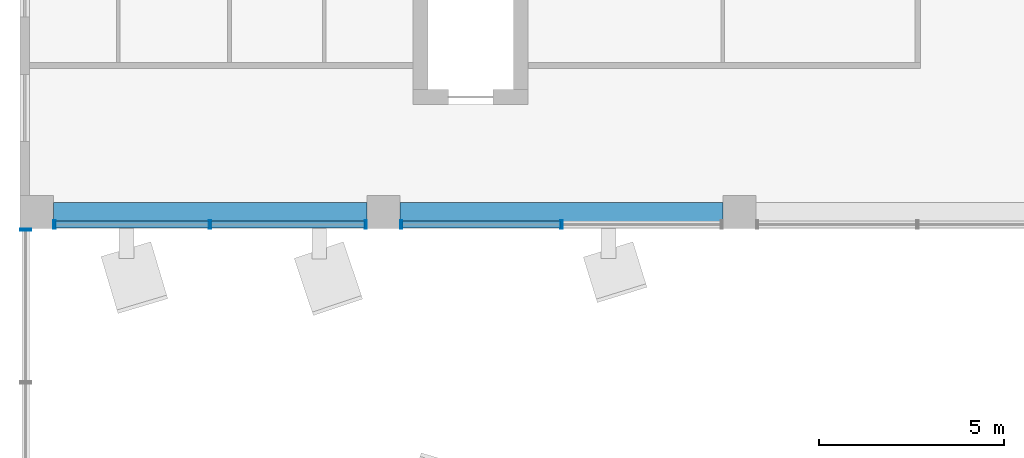
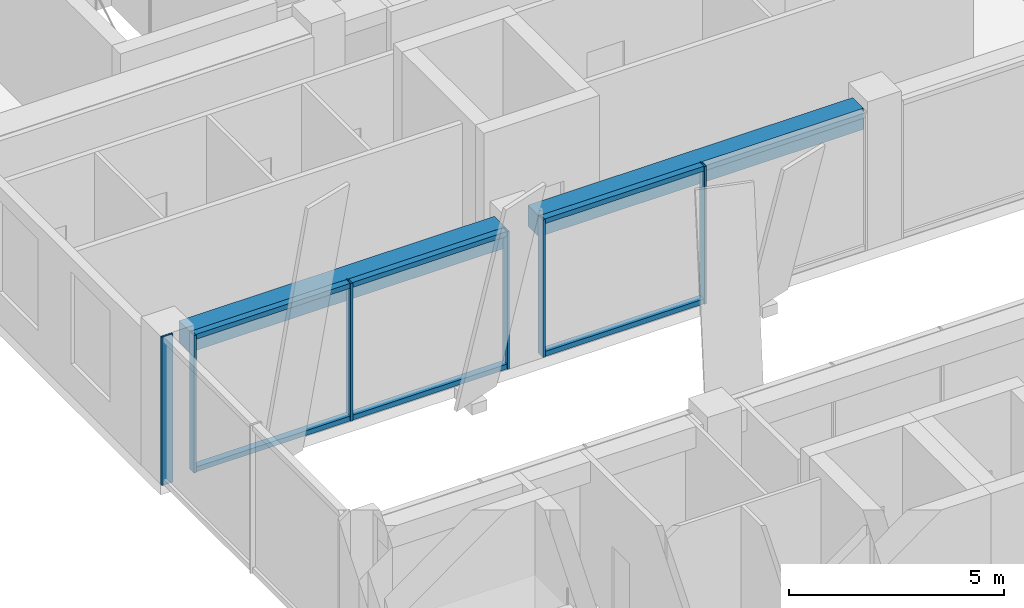
# One storey, part 8 of 38: 12 members, 2 beams, 3 elements without a shape of their own.
"""IFC4 building model written with IfcOpenShell, lengths in metres."""

from ifc_helpers import new_model, si_unit, direction, frame, origin, origin_2d, place, context, subcontext, project, spatial, rectangle, hollow_rectangle, extrude, material, layer, layer_set, material_profile, profile_set, type_object, element, aggregate, save


model = new_model("IFC4")

# Units and contexts
model_context = context("Model", 3, precision=1e-05, world=origin(), true_north=direction((0.0, 1.0)))
body_context = subcontext(model_context, "Body", "Model", "MODEL_VIEW")
ifc_project = project(units=[si_unit("LENGTHUNIT", "METRE"), si_unit("AREAUNIT", "SQUARE_METRE"), si_unit("VOLUMEUNIT", "CUBIC_METRE"), si_unit("PLANEANGLEUNIT", "RADIAN"), si_unit("MASSUNIT", "GRAM", prefix="KILO")], contexts=[model_context])

# Site, building, storey
site_placement = place(None, origin())
site = spatial("IfcSite", under=ifc_project, at=site_placement, CompositionType="ELEMENT")
building_placement = place(site_placement, origin())
building = spatial("IfcBuilding", under=site, at=building_placement, Name="Nzadi Deep Aquarium and Research Tower", CompositionType="ELEMENT")
storey_placement = place(building_placement, frame((0.0, 0.0, 52.89990234375)))
storey = spatial("IfcBuildingStorey", under=building, at=storey_placement, Name="L10", CompositionType="ELEMENT", Elevation=52.89990234375)

# Curtain wall, members
ifc_material_1 = material(Name="Aluminium unitised frame deep", Category="aluminium")
ifc_layer_1 = layer(ifc_material_1, 0.22509765625)
ifc_layer_set_1 = layer_set([ifc_layer_1], Name="Aluminium unitised frame deep")
curtain_wall_type_1 = type_object("IfcCurtainWallType", Name="Curtain wall Unitised Deep 225", PredefinedType="NOTDEFINED", material=ifc_layer_set_1)
curtain_wall_1_placement = place(storey_placement, origin())
curtain_wall_1 = element("IfcCurtainWall", 1, at=curtain_wall_1_placement, inside=storey, type_object=curtain_wall_type_1, Name="Unitised curtain wall blade B south L10", PredefinedType="NOTDEFINED")
ifc_material_2 = material(Name="Aluminium unitised frame deep", Category="aluminium")
ifc_material_profile_1 = material_profile(ifc_material_2, hollow_rectangle(XDim=0.22509765625, YDim=0.06005859375, WallThickness=0.0048828125, at=origin_2d()))
ifc_profile_set_1 = profile_set([ifc_material_profile_1], Name="Aluminium unitised frame deep")
member_type_1 = type_object("IfcMemberType", Name="Mullion 60x225 Unitised Deep", PredefinedType="MULLION", material=ifc_profile_set_1)
member_1_placement = place(storey_placement, frame((0.72998046875, 27.262451171875, 0.0), z_axis=(0.0, 0.0, 1.0), x_axis=(0.0, 1.0, 0.0)))
member_1 = element("IfcMember", 2, at=member_1_placement, type_object=member_type_1, Name="CW128 mullion 1", PredefinedType="MULLION", context=body_context, shape_type="SweptSolid", body=[
    extrude(hollow_rectangle(XDim=0.22509765625, YDim=0.06005859375, WallThickness=0.0048828125, at=origin_2d()), origin(), (0.0, 0.0, 1.0), 3.900146484375),
])
member_2_placement = place(storey_placement, frame((4.925048828125, 27.262451171875, 0.0), z_axis=(0.0, 0.0, 1.0), x_axis=(0.0, 1.0, 0.0)))
member_2 = element("IfcMember", 3, at=member_2_placement, type_object=member_type_1, Name="CW128 mullion 2", PredefinedType="MULLION", context=body_context, shape_type="SweptSolid", body=[
    extrude(hollow_rectangle(XDim=0.22509765625, YDim=0.06005859375, WallThickness=0.0048828125, at=origin_2d()), origin(), (0.0, 0.0, 1.0), 3.900146484375),
])
member_3_placement = place(storey_placement, frame((9.1201171875, 27.262451171875, 0.0), z_axis=(0.0, 0.0, 1.0), x_axis=(0.0, 1.0, 0.0)))
member_3 = element("IfcMember", 4, at=member_3_placement, type_object=member_type_1, Name="CW128 mullion 3", PredefinedType="MULLION", context=body_context, shape_type="SweptSolid", body=[
    extrude(hollow_rectangle(XDim=0.22509765625, YDim=0.06005859375, WallThickness=0.0048828125, at=origin_2d()), origin(), (0.0, 0.0, 1.0), 3.900146484375),
])

curtain_wall_2_placement = place(storey_placement, origin())
curtain_wall_2 = element("IfcCurtainWall", 5, at=curtain_wall_2_placement, inside=storey, type_object=curtain_wall_type_1, Name="Unitised curtain wall blade B south L10", PredefinedType="NOTDEFINED")
member_4_placement = place(storey_placement, frame((10.080078125, 27.262451171875, 0.0), z_axis=(0.0, 0.0, 1.0), x_axis=(0.0, 1.0, 0.0)))
member_4 = element("IfcMember", 6, at=member_4_placement, type_object=member_type_1, Name="CW129 mullion 1", PredefinedType="MULLION", context=body_context, shape_type="SweptSolid", body=[
    extrude(hollow_rectangle(XDim=0.22509765625, YDim=0.06005859375, WallThickness=0.0048828125, at=origin_2d()), origin(), (0.0, 0.0, 1.0), 3.900146484375),
])
member_5_placement = place(storey_placement, frame((14.39990234375, 27.262451171875, 0.0), z_axis=(0.0, 0.0, 1.0), x_axis=(0.0, 1.0, 0.0)))
member_5 = element("IfcMember", 7, at=member_5_placement, type_object=member_type_1, Name="CW129 mullion 2", PredefinedType="MULLION", context=body_context, shape_type="SweptSolid", body=[
    extrude(hollow_rectangle(XDim=0.22509765625, YDim=0.06005859375, WallThickness=0.0048828125, at=origin_2d()), origin(), (0.0, 0.0, 1.0), 3.900146484375),
])

# Curtain wall, member
ifc_material_3 = material(Name="Aluminium unitised frame wind post", Category="aluminium")
ifc_layer_2 = layer(ifc_material_3, 0.300048828125)
ifc_layer_set_2 = layer_set([ifc_layer_2], Name="Aluminium unitised frame wind post")
curtain_wall_type_2 = type_object("IfcCurtainWallType", Name="Curtain wall Slot End 300", PredefinedType="NOTDEFINED", material=ifc_layer_set_2)
curtain_wall_3_placement = place(storey_placement, origin())
curtain_wall_3 = element("IfcCurtainWall", 8, at=curtain_wall_3_placement, inside=storey, type_object=curtain_wall_type_2, Name="Glazed slot end west L10", PredefinedType="NOTDEFINED")
ifc_material_4 = material(Name="Aluminium unitised frame wind post", Category="aluminium")
ifc_material_profile_2 = material_profile(ifc_material_4, hollow_rectangle(XDim=0.300048828125, YDim=0.06005859375, WallThickness=0.0048828125, at=origin_2d()))
ifc_profile_set_2 = profile_set([ifc_material_profile_2], Name="Aluminium unitised frame wind post")
member_type_2 = type_object("IfcMemberType", Name="Mullion 60x300 Slot End", PredefinedType="MULLION", material=ifc_profile_set_2)
member_6_placement = place(storey_placement, frame((-0.049560546875, 27.1201171875, 0.0), z_axis=(0.0, 0.0, 1.0), x_axis=(-1.0, 0.0, 0.0)))
member_6 = element("IfcMember", 9, at=member_6_placement, type_object=member_type_2, Name="CW211 mullion 3", PredefinedType="MULLION", context=body_context, shape_type="SweptSolid", body=[
    extrude(hollow_rectangle(XDim=0.300048828125, YDim=0.06005859375, WallThickness=0.0048828125, at=origin_2d()), origin(), (0.0, 0.0, 1.0), 4.2001953125),
])
aggregate(curtain_wall_3, [member_6])

# Beams
ifc_material_5 = material(Name="Concrete C35/45", Category="concrete")
ifc_material_profile_3 = material_profile(ifc_material_5, rectangle(XDim=0.5, YDim=0.60009765625, at=origin_2d()))
ifc_profile_set_3 = profile_set([ifc_material_profile_3], Name="Concrete C35/45")
beam_type = type_object("IfcBeamType", Name="RC 500x600", PredefinedType="BEAM", material=ifc_profile_set_3)
beam_1_placement = place(storey_placement, frame((0.699951171875, 27.60009765625, 3.60009765625), z_axis=(1.0, 0.0, 0.0), x_axis=(0.0, 1.0, 0.0)))
element("IfcBeam", 10, at=beam_1_placement, inside=storey, type_object=beam_type, Name="B-Z1-L10-L4-1", PredefinedType="BEAM", context=body_context, shape_type="SweptSolid", body=[
    extrude(rectangle(XDim=0.5, YDim=0.60009765625, at=origin_2d()), origin(), (0.0, 0.0, 1.0), 8.449951171875),
])
beam_2_placement = place(storey_placement, frame((10.050048828125, 27.60009765625, 3.60009765625), z_axis=(1.0, 0.0, 0.0), x_axis=(0.0, 1.0, 0.0)))
element("IfcBeam", 11, at=beam_2_placement, inside=storey, type_object=beam_type, Name="B-Z1-L10-L4-2", PredefinedType="BEAM", context=body_context, shape_type="SweptSolid", body=[
    extrude(rectangle(XDim=0.5, YDim=0.60009765625, at=origin_2d()), origin(), (0.0, 0.0, 1.0), 8.699951171875),
])

# Member
ifc_material_6 = material(Name="Aluminium unitised frame deep", Category="aluminium")
ifc_material_profile_4 = material_profile(ifc_material_6, hollow_rectangle(XDim=0.179931640625, YDim=0.139892578125, WallThickness=0.0048828125, at=origin_2d()))
ifc_profile_set_4 = profile_set([ifc_material_profile_4], Name="Aluminium unitised frame deep")
member_type_3 = type_object("IfcMemberType", Name="Transom 140x180 Unitised Deep", PredefinedType="MULLION", material=ifc_profile_set_4)
member_7_placement = place(storey_placement, frame((0.760009765625, 27.262451171875, 0.070068359375), z_axis=(1.0, 0.0, 0.0), x_axis=(0.0, 1.0, 0.0)))
member_7 = element("IfcMember", 12, at=member_7_placement, type_object=member_type_3, Name="CW128 transom 1.1", PredefinedType="MULLION", context=body_context, shape_type="SweptSolid", body=[
    extrude(hollow_rectangle(XDim=0.179931640625, YDim=0.139892578125, WallThickness=0.0048828125, at=origin_2d()), origin(), (0.0, 0.0, 1.0), 4.135009765625),
])

member_8_placement = place(storey_placement, frame((0.760009765625, 27.262451171875, 3.830078125), z_axis=(1.0, 0.0, 0.0), x_axis=(0.0, 1.0, 0.0)))
member_8 = element("IfcMember", 13, at=member_8_placement, type_object=member_type_3, Name="CW128 transom 1.2", PredefinedType="MULLION", context=body_context, shape_type="SweptSolid", body=[
    extrude(hollow_rectangle(XDim=0.179931640625, YDim=0.139892578125, WallThickness=0.0048828125, at=origin_2d()), origin(), (0.0, 0.0, 1.0), 4.135009765625),
])

member_9_placement = place(storey_placement, frame((4.955078125, 27.262451171875, 0.070068359375), z_axis=(1.0, 0.0, 0.0), x_axis=(0.0, 1.0, 0.0)))
member_9 = element("IfcMember", 14, at=member_9_placement, type_object=member_type_3, Name="CW128 transom 2.1", PredefinedType="MULLION", context=body_context, shape_type="SweptSolid", body=[
    extrude(hollow_rectangle(XDim=0.179931640625, YDim=0.139892578125, WallThickness=0.0048828125, at=origin_2d()), origin(), (0.0, 0.0, 1.0), 4.135009765625),
])

member_10_placement = place(storey_placement, frame((4.955078125, 27.262451171875, 3.830078125), z_axis=(1.0, 0.0, 0.0), x_axis=(0.0, 1.0, 0.0)))
member_10 = element("IfcMember", 15, at=member_10_placement, type_object=member_type_3, Name="CW128 transom 2.2", PredefinedType="MULLION", context=body_context, shape_type="SweptSolid", body=[
    extrude(hollow_rectangle(XDim=0.179931640625, YDim=0.139892578125, WallThickness=0.0048828125, at=origin_2d()), origin(), (0.0, 0.0, 1.0), 4.135009765625),
])

aggregate(curtain_wall_1, [member_1, member_2, member_3, member_7, member_8, member_9, member_10])

member_11_placement = place(storey_placement, frame((10.110107421875, 27.262451171875, 0.070068359375), z_axis=(1.0, 0.0, 0.0), x_axis=(0.0, 1.0, 0.0)))
member_11 = element("IfcMember", 16, at=member_11_placement, type_object=member_type_3, Name="CW129 transom 1.1", PredefinedType="MULLION", context=body_context, shape_type="SweptSolid", body=[
    extrude(hollow_rectangle(XDim=0.179931640625, YDim=0.139892578125, WallThickness=0.0048828125, at=origin_2d()), origin(), (0.0, 0.0, 1.0), 4.260009765625),
])

member_12_placement = place(storey_placement, frame((10.110107421875, 27.262451171875, 3.830078125), z_axis=(1.0, 0.0, 0.0), x_axis=(0.0, 1.0, 0.0)))
member_12 = element("IfcMember", 17, at=member_12_placement, type_object=member_type_3, Name="CW129 transom 1.2", PredefinedType="MULLION", context=body_context, shape_type="SweptSolid", body=[
    extrude(hollow_rectangle(XDim=0.179931640625, YDim=0.139892578125, WallThickness=0.0048828125, at=origin_2d()), origin(), (0.0, 0.0, 1.0), 4.260009765625),
])

aggregate(curtain_wall_2, [member_4, member_5, member_11, member_12])

save(model, "model.ifc")
